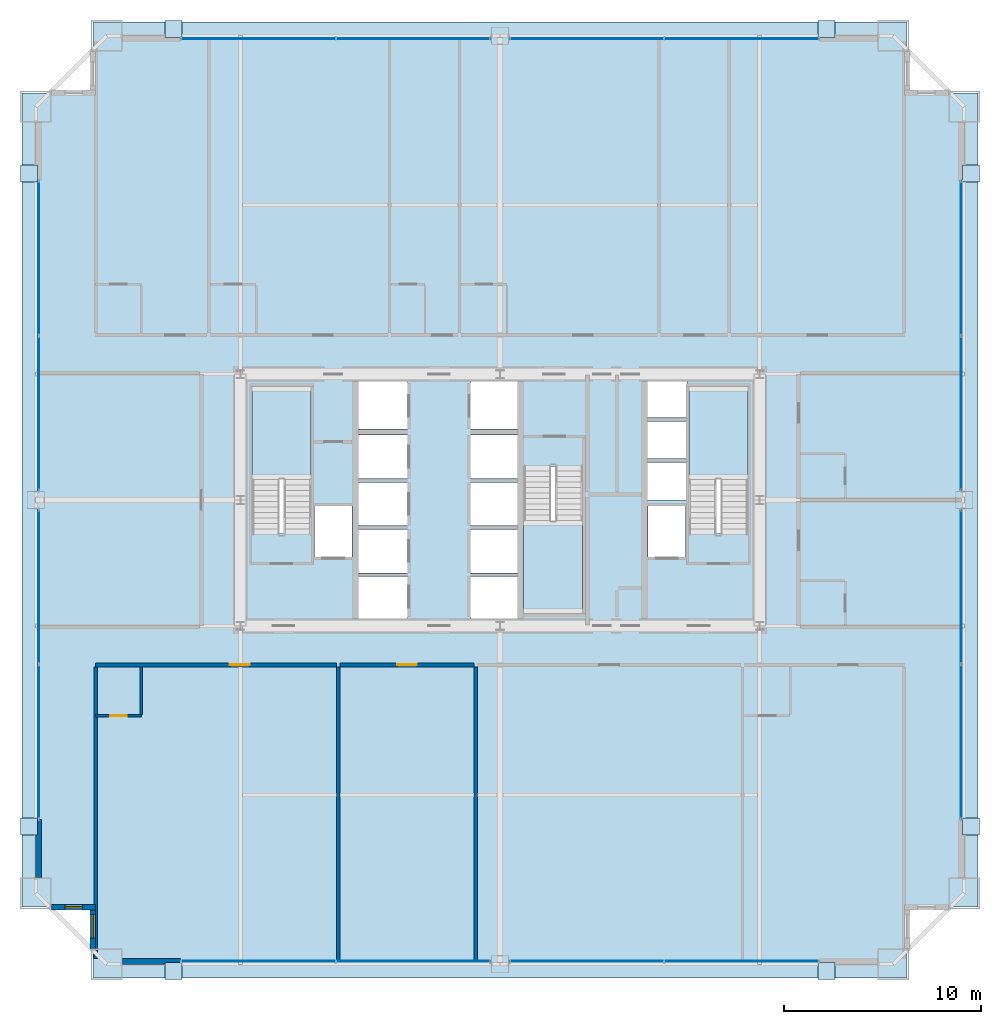
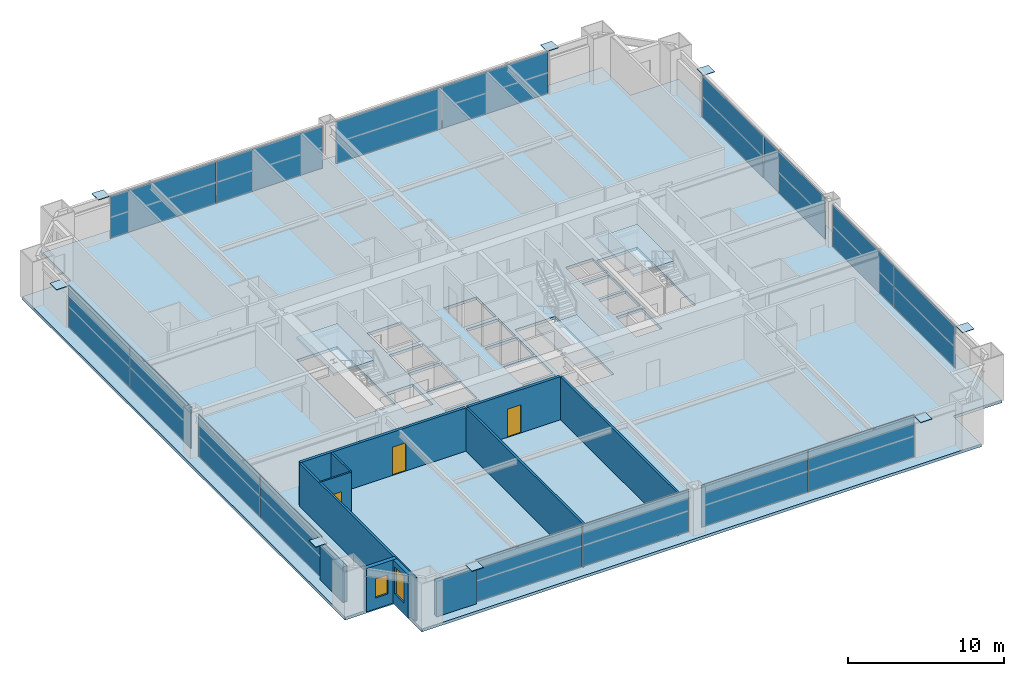
# One storey, part 33 of 38: 24 plates, 11 walls, 4 slabs, 3 doors, 2 windows, 5 openings, 11 elements without a shape of their own.
"""IFC4 building model written with IfcOpenShell, lengths in metres."""

from ifc_helpers import new_model, si_unit, direction, frame, frame_2d, origin, origin_2d, place, context, subcontext, project, spatial, polyline, rectangle, outline, extrude, source, transform, mapped, material, layer, layer_set, type_object, element, fill, aggregate, save


model = new_model("IFC4")

# Units and contexts
model_context = context("Model", 3, precision=1e-05, world=origin(), true_north=direction((0.0, 1.0)))
body_context = subcontext(model_context, "Body", "Model", "MODEL_VIEW")
ifc_project = project(units=[si_unit("LENGTHUNIT", "METRE"), si_unit("AREAUNIT", "SQUARE_METRE"), si_unit("VOLUMEUNIT", "CUBIC_METRE"), si_unit("PLANEANGLEUNIT", "RADIAN"), si_unit("MASSUNIT", "GRAM", prefix="KILO"), si_unit("THERMODYNAMICTEMPERATUREUNIT", "KELVIN"), si_unit("POWERUNIT", "WATT")], contexts=[model_context])

# Site, building, storey
site_placement = place(None, origin())
site = spatial("IfcSite", under=ifc_project, at=site_placement, CompositionType="ELEMENT")
building_placement = place(site_placement, origin())
building = spatial("IfcBuilding", under=site, at=building_placement, Name="Yuzanri Waterfront Tower", CompositionType="ELEMENT")
storey_placement = place(building_placement, frame((0.0, 0.0, 111.800048828125)))
storey = spatial("IfcBuildingStorey", under=building, at=storey_placement, Name="L29", CompositionType="ELEMENT", Elevation=111.800048828125)

# Stair, slab
ifc_material_1 = material(Name="Concrete C40", Category="concrete")
stair_type = type_object("IfcStairType", Name="Concrete C40 Core Dogleg Exit Stair", PredefinedType="HALF_TURN_STAIR", material=ifc_material_1)
stair_1_placement = place(storey_placement, origin())
stair_1 = element("IfcStair", 1, at=stair_1_placement, inside=storey, type_object=stair_type, Name="L29 Smoke-Proof Core Stair ST-01", PredefinedType="HALF_TURN_STAIR")
ifc_material_2 = material(Name="Concrete C40", Category="concrete")
ifc_layer_1 = layer(ifc_material_2, 0.179931640625)
ifc_layer_set_1 = layer_set([ifc_layer_1], Name="Concrete C40")
slab_type_1 = type_object("IfcSlabType", Name="Concrete C40 Stair Half-Landing Slab 180", PredefinedType="LANDING", material=ifc_layer_set_1)
slab_1_placement = place(storey_placement, frame((0.0, 0.0, 1.599853515625)))
slab_1 = element("IfcSlab", 2, at=slab_1_placement, type_object=slab_type_1, Name="ST-01 landing 1", PredefinedType="LANDING", context=body_context, shape_type="SweptSolid", body=[
    extrude(outline(polyline([(27.39990234375, 26.840087890625), (27.39990234375, 31.580078125), (24.39990234375, 31.580078125), (24.39990234375, 26.840087890625), (27.39990234375, 26.840087890625)])), origin(), (0.0, 0.0, 1.0), 0.2001953125),
])
aggregate(stair_1, [slab_1])

stair_2_placement = place(storey_placement, origin())
stair_2 = element("IfcStair", 3, at=stair_2_placement, inside=storey, type_object=stair_type, Name="L29 Smoke-Proof Core Stair ST-02", PredefinedType="HALF_TURN_STAIR")
slab_2_placement = place(storey_placement, frame((0.0, 0.0, 1.599853515625)))
slab_2 = element("IfcSlab", 4, at=slab_2_placement, type_object=slab_type_1, Name="ST-02 landing 1", PredefinedType="LANDING", context=body_context, shape_type="SweptSolid", body=[
    extrude(outline(polyline([(49.60009765625, 26.840087890625), (49.60009765625, 31.580078125), (46.60009765625, 31.580078125), (46.60009765625, 26.840087890625), (49.60009765625, 26.840087890625)])), origin(), (0.0, 0.0, 1.0), 0.2001953125),
])
aggregate(stair_2, [slab_2])

stair_3_placement = place(storey_placement, origin())
stair_3 = element("IfcStair", 5, at=stair_3_placement, inside=storey, type_object=stair_type, Name="L29 Smoke-Proof Core Stair ST-03", PredefinedType="HALF_TURN_STAIR")
slab_3_placement = place(storey_placement, frame((0.0, 0.0, 1.599853515625)))
slab_3 = element("IfcSlab", 6, at=slab_3_placement, type_object=slab_type_1, Name="ST-03 landing 1", PredefinedType="LANDING", context=body_context, shape_type="SweptSolid", body=[
    extrude(outline(polyline([(38.199951171875, 24.760009765625), (38.199951171875, 20.02001953125), (41.199951171875, 20.02001953125), (41.199951171875, 24.760009765625), (38.199951171875, 24.760009765625)])), origin(), (0.0, 0.0, 1.0), 0.2001953125),
])
aggregate(stair_3, [slab_3])

# Slab
ifc_material_3 = material(Name="Concrete C40", Category="concrete")
ifc_layer_2 = layer(ifc_material_3, 0.219970703125)
ifc_layer_set_2 = layer_set([ifc_layer_2], Name="Concrete C40")
slab_type_2 = type_object("IfcSlabType", Name="Concrete C40 Tower Typical Structural Floor Slab 220", PredefinedType="FLOOR", material=ifc_layer_set_2)
slab_4_placement = place(storey_placement, frame((0.0, 0.0, -0.219970703125)))
element("IfcSlab", 7, at=slab_4_placement, inside=storey, type_object=slab_type_2, Name="L29 Main Structural Floor Slab", PredefinedType="FLOOR", context=body_context, shape_type="SweptSolid", body=[
    extrude(outline(polyline([(16.300048828125, 1.5), (57.699951171875, 1.5), (57.699951171875, 5.10009765625), (61.300048828125, 5.10009765625), (61.300048828125, 46.5), (57.699951171875, 46.5), (57.699951171875, 50.10009765625), (16.300048828125, 50.10009765625), (16.300048828125, 46.5), (12.699951171875, 46.5), (12.699951171875, 5.10009765625), (16.300048828125, 5.10009765625), (16.300048828125, 1.5)]), holes=[polyline([(27.39990234375, 24.10009765625), (27.39990234375, 31.580078125), (24.39990234375, 31.580078125), (24.39990234375, 24.10009765625), (27.39990234375, 24.10009765625)]), polyline([(49.60009765625, 24.10009765625), (49.60009765625, 31.580078125), (46.60009765625, 31.580078125), (46.60009765625, 24.10009765625), (49.60009765625, 24.10009765625)]), polyline([(38.199951171875, 27.5), (38.199951171875, 20.02001953125), (41.199951171875, 20.02001953125), (41.199951171875, 27.5), (38.199951171875, 27.5)]), polyline([(27.56005859375, 22.89990234375), (29.47998046875, 22.89990234375), (29.47998046875, 25.5), (27.56005859375, 25.5), (27.56005859375, 22.89990234375)]), polyline([(44.52001953125, 22.89990234375), (46.43994140625, 22.89990234375), (46.43994140625, 25.5), (44.52001953125, 25.5), (44.52001953125, 22.89990234375)]), polyline([(29.800048828125, 19.699951171875), (32.300048828125, 19.699951171875), (32.300048828125, 21.89990234375), (29.800048828125, 21.89990234375), (29.800048828125, 19.699951171875)]), polyline([(29.800048828125, 22.10009765625), (32.300048828125, 22.10009765625), (32.300048828125, 24.300048828125), (29.800048828125, 24.300048828125), (29.800048828125, 22.10009765625)]), polyline([(29.800048828125, 24.5), (32.300048828125, 24.5), (32.300048828125, 26.699951171875), (29.800048828125, 26.699951171875), (29.800048828125, 24.5)]), polyline([(29.800048828125, 26.89990234375), (32.300048828125, 26.89990234375), (32.300048828125, 29.10009765625), (29.800048828125, 29.10009765625), (29.800048828125, 26.89990234375)]), polyline([(29.800048828125, 29.39990234375), (32.300048828125, 29.39990234375), (32.300048828125, 31.89990234375), (29.800048828125, 31.89990234375), (29.800048828125, 29.39990234375)]), polyline([(35.5, 19.699951171875), (37.89990234375, 19.699951171875), (37.89990234375, 21.89990234375), (35.5, 21.89990234375), (35.5, 19.699951171875)]), polyline([(35.5, 22.10009765625), (37.89990234375, 22.10009765625), (37.89990234375, 24.300048828125), (35.5, 24.300048828125), (35.5, 22.10009765625)]), polyline([(35.5, 24.5), (37.89990234375, 24.5), (37.89990234375, 26.699951171875), (35.5, 26.699951171875), (35.5, 24.5)]), polyline([(35.5, 26.89990234375), (37.89990234375, 26.89990234375), (37.89990234375, 29.10009765625), (35.5, 29.10009765625), (35.5, 26.89990234375)]), polyline([(35.5, 29.39990234375), (37.89990234375, 29.39990234375), (37.89990234375, 31.89990234375), (35.5, 31.89990234375), (35.5, 29.39990234375)]), polyline([(44.5, 25.800048828125), (46.5, 25.800048828125), (46.5, 27.699951171875), (44.5, 27.699951171875), (44.5, 25.800048828125)]), polyline([(44.5, 27.89990234375), (46.5, 27.89990234375), (46.5, 29.800048828125), (44.5, 29.800048828125), (44.5, 27.89990234375)]), polyline([(44.5, 30.0), (46.5, 30.0), (46.5, 31.89990234375), (44.5, 31.89990234375), (44.5, 30.0)])]), origin(), (0.0, 0.0, 1.0), 0.219970703125),
])

# Plates
ifc_material_4 = material(Name="Steel Q420GJC", Category="steel")
ifc_layer_3 = layer(ifc_material_4, 0.0400390625)
ifc_layer_set_3 = layer_set([ifc_layer_3], Name="Steel Q420GJC")
plate_type_1 = type_object("IfcPlateType", Name="Steel Q420GJC Mega-Brace Gusset and End-Cap Plate 40", PredefinedType="SHEET", material=ifc_layer_set_3)
shared_shape_1 = source(origin(), body_context, "Body", "SweptSolid", [
    extrude(rectangle(XDim=0.85009765625, YDim=0.85009765625, at=origin_2d()), origin(), (0.0, 0.0, 1.0), 0.0400390625),
])
for number, where, z_axis, x_axis, name in (
    (8, (20.39990234375, 1.860107421875, 3.260009765625), (0.0, 0.0, 1.0), (1.0, 0.0, 0.0), "L29 Mega-Brace Apex Cap Plate S-L"),
    (9, (53.60009765625, 1.860107421875, 3.260009765625), (0.0, 0.0, 1.0), (1.0, 0.0, 0.0), "L29 Mega-Brace Apex Cap Plate S-R"),
    (10, (20.39990234375, 49.739990234375, 3.260009765625), (0.0, 0.0, 1.0), (1.0, 0.0, 0.0), "L29 Mega-Brace Apex Cap Plate N-L"),
    (11, (53.60009765625, 49.739990234375, 3.260009765625), (0.0, 0.0, 1.0), (1.0, 0.0, 0.0), "L29 Mega-Brace Apex Cap Plate N-R"),
    (12, (13.06005859375, 9.199951171875, 3.260009765625), (0.0, 0.0, 1.0), (1.0, 0.0, 0.0), "L29 Mega-Brace Apex Cap Plate W-L"),
    (13, (13.06005859375, 42.39990234375, 3.260009765625), (0.0, 0.0, 1.0), (1.0, 0.0, 0.0), "L29 Mega-Brace Apex Cap Plate W-R"),
    (14, (60.93994140625, 9.199951171875, 3.260009765625), (0.0, 0.0, 1.0), (1.0, 0.0, 0.0), "L29 Mega-Brace Apex Cap Plate E-L"),
    (15, (60.93994140625, 42.39990234375, 3.260009765625), (0.0, 0.0, 1.0), (1.0, 0.0, 0.0), "L29 Mega-Brace Apex Cap Plate E-R"),
):
    element("IfcPlate", number, at=place(storey_placement, frame(where, z_axis=z_axis, x_axis=x_axis)), inside=storey, type_object=plate_type_1, Name=name, PredefinedType="SHEET", context=body_context, shape_type="MappedRepresentation", body=[
        mapped(shared_shape_1, transform((0.0, 0.0, 0.0), scale=1.0)),
    ])

# Curtain wall, plates
ifc_material_5 = material(Name="Anodized Architectural Bronze", Category="metal")
ifc_layer_4 = layer(ifc_material_5, 0.159912109375)
ifc_layer_set_4 = layer_set([ifc_layer_4], Name="Anodized Architectural Bronze")
curtain_wall_type = type_object("IfcCurtainWallType", Name="Anodized Bronze Hotel Upper-Tier Solar-Control Unitized Curtain Wall 7800", PredefinedType="NOTDEFINED", material=ifc_layer_set_4)
curtain_wall_1_placement = place(storey_placement, origin())
curtain_wall_1 = element("IfcCurtainWall", 16, at=curtain_wall_1_placement, inside=storey, type_object=curtain_wall_type, Name="L29 Curtain Wall CW-L29-SL", PredefinedType="NOTDEFINED")
ifc_material_6 = material(Name="Double-Silver Low-E Insulated Glass", Category="glass")
ifc_layer_5 = layer(ifc_material_6, 0.035888671875)
ifc_layer_set_5 = layer_set([ifc_layer_5], Name="Double-Silver Low-E Insulated Glass")
plate_type_2 = type_object("IfcPlateType", Name="Double Silver Low-E Insulated Vision Glass Panel 36", PredefinedType="CURTAIN_PANEL", material=ifc_layer_set_5)
shared_shape_2 = source(origin(), body_context, "Body", "SweptSolid", [
    extrude(rectangle(XDim=7.820068359375, YDim=0.035888671875, at=origin_2d()), origin(), (0.0, 0.0, 1.0), 3.280029296875),
])
plate_1_placement = place(storey_placement, frame((24.699951171875, 2.35009765625, 0.0498046875), z_axis=(0.0, 0.0, 1.0), x_axis=(1.0, 0.0, 0.0)))
plate_1 = element("IfcPlate", 17, at=plate_1_placement, type_object=plate_type_2, Name="CW-L29-SL Vision Glass Panel 01", PredefinedType="CURTAIN_PANEL", context=body_context, shape_type="MappedRepresentation", body=[
    mapped(shared_shape_2, transform((0.0, 0.0, 0.0), scale=1.0)),
])
plate_2_placement = place(storey_placement, frame((32.60009765625, 2.35009765625, 0.0498046875), z_axis=(0.0, 0.0, 1.0), x_axis=(1.0, 0.0, 0.0)))
plate_2 = element("IfcPlate", 18, at=plate_2_placement, type_object=plate_type_2, Name="CW-L29-SL Vision Glass Panel 02", PredefinedType="CURTAIN_PANEL", context=body_context, shape_type="MappedRepresentation", body=[
    mapped(shared_shape_2, transform((0.0, 0.0, 0.0), scale=1.0)),
])
aggregate(curtain_wall_1, [plate_1, plate_2])

curtain_wall_2_placement = place(storey_placement, origin())
curtain_wall_2 = element("IfcCurtainWall", 19, at=curtain_wall_2_placement, inside=storey, type_object=curtain_wall_type, Name="L29 Curtain Wall CW-L29-SR", PredefinedType="NOTDEFINED")
plate_3_placement = place(storey_placement, frame((41.39990234375, 2.35009765625, 0.0498046875), z_axis=(0.0, 0.0, 1.0), x_axis=(1.0, 0.0, 0.0)))
plate_3 = element("IfcPlate", 20, at=plate_3_placement, type_object=plate_type_2, Name="CW-L29-SR Vision Glass Panel 01", PredefinedType="CURTAIN_PANEL", context=body_context, shape_type="MappedRepresentation", body=[
    mapped(shared_shape_2, transform((0.0, 0.0, 0.0), scale=1.0)),
])
plate_4_placement = place(storey_placement, frame((49.300048828125, 2.35009765625, 0.0498046875), z_axis=(0.0, 0.0, 1.0), x_axis=(1.0, 0.0, 0.0)))
plate_4 = element("IfcPlate", 21, at=plate_4_placement, type_object=plate_type_2, Name="CW-L29-SR Vision Glass Panel 02", PredefinedType="CURTAIN_PANEL", context=body_context, shape_type="MappedRepresentation", body=[
    mapped(shared_shape_2, transform((0.0, 0.0, 0.0), scale=1.0)),
])
aggregate(curtain_wall_2, [plate_3, plate_4])

curtain_wall_3_placement = place(storey_placement, origin())
curtain_wall_3 = element("IfcCurtainWall", 22, at=curtain_wall_3_placement, inside=storey, type_object=curtain_wall_type, Name="L29 Curtain Wall CW-L29-NL", PredefinedType="NOTDEFINED")
plate_5_placement = place(storey_placement, frame((24.699951171875, 49.25, 0.0498046875), z_axis=(0.0, 0.0, 1.0), x_axis=(1.0, 0.0, 0.0)))
plate_5 = element("IfcPlate", 23, at=plate_5_placement, type_object=plate_type_2, Name="CW-L29-NL Vision Glass Panel 01", PredefinedType="CURTAIN_PANEL", context=body_context, shape_type="MappedRepresentation", body=[
    mapped(shared_shape_2, transform((0.0, 0.0, 0.0), scale=1.0)),
])
plate_6_placement = place(storey_placement, frame((32.60009765625, 49.25, 0.0498046875), z_axis=(0.0, 0.0, 1.0), x_axis=(1.0, 0.0, 0.0)))
plate_6 = element("IfcPlate", 24, at=plate_6_placement, type_object=plate_type_2, Name="CW-L29-NL Vision Glass Panel 02", PredefinedType="CURTAIN_PANEL", context=body_context, shape_type="MappedRepresentation", body=[
    mapped(shared_shape_2, transform((0.0, 0.0, 0.0), scale=1.0)),
])
aggregate(curtain_wall_3, [plate_5, plate_6])

curtain_wall_4_placement = place(storey_placement, origin())
curtain_wall_4 = element("IfcCurtainWall", 25, at=curtain_wall_4_placement, inside=storey, type_object=curtain_wall_type, Name="L29 Curtain Wall CW-L29-NR", PredefinedType="NOTDEFINED")
plate_7_placement = place(storey_placement, frame((41.39990234375, 49.25, 0.0498046875), z_axis=(0.0, 0.0, 1.0), x_axis=(1.0, 0.0, 0.0)))
plate_7 = element("IfcPlate", 26, at=plate_7_placement, type_object=plate_type_2, Name="CW-L29-NR Vision Glass Panel 01", PredefinedType="CURTAIN_PANEL", context=body_context, shape_type="MappedRepresentation", body=[
    mapped(shared_shape_2, transform((0.0, 0.0, 0.0), scale=1.0)),
])
plate_8_placement = place(storey_placement, frame((49.300048828125, 49.25, 0.0498046875), z_axis=(0.0, 0.0, 1.0), x_axis=(1.0, 0.0, 0.0)))
plate_8 = element("IfcPlate", 27, at=plate_8_placement, type_object=plate_type_2, Name="CW-L29-NR Vision Glass Panel 02", PredefinedType="CURTAIN_PANEL", context=body_context, shape_type="MappedRepresentation", body=[
    mapped(shared_shape_2, transform((0.0, 0.0, 0.0), scale=1.0)),
])
aggregate(curtain_wall_4, [plate_7, plate_8])

curtain_wall_5_placement = place(storey_placement, origin())
curtain_wall_5 = element("IfcCurtainWall", 28, at=curtain_wall_5_placement, inside=storey, type_object=curtain_wall_type, Name="L29 Curtain Wall CW-L29-WL", PredefinedType="NOTDEFINED")
plate_9_placement = place(storey_placement, frame((13.550048828125, 13.5, 0.0498046875), z_axis=(0.0, 0.0, 1.0), x_axis=(0.0, 1.0, 0.0)))
plate_9 = element("IfcPlate", 29, at=plate_9_placement, type_object=plate_type_2, Name="CW-L29-WL Vision Glass Panel 01", PredefinedType="CURTAIN_PANEL", context=body_context, shape_type="MappedRepresentation", body=[
    mapped(shared_shape_2, transform((0.0, 0.0, 0.0), scale=1.0)),
])
plate_10_placement = place(storey_placement, frame((13.550048828125, 21.39990234375, 0.0498046875), z_axis=(0.0, 0.0, 1.0), x_axis=(0.0, 1.0, 0.0)))
plate_10 = element("IfcPlate", 30, at=plate_10_placement, type_object=plate_type_2, Name="CW-L29-WL Vision Glass Panel 02", PredefinedType="CURTAIN_PANEL", context=body_context, shape_type="MappedRepresentation", body=[
    mapped(shared_shape_2, transform((0.0, 0.0, 0.0), scale=1.0)),
])
aggregate(curtain_wall_5, [plate_9, plate_10])

curtain_wall_6_placement = place(storey_placement, origin())
curtain_wall_6 = element("IfcCurtainWall", 31, at=curtain_wall_6_placement, inside=storey, type_object=curtain_wall_type, Name="L29 Curtain Wall CW-L29-WR", PredefinedType="NOTDEFINED")
plate_11_placement = place(storey_placement, frame((13.550048828125, 30.199951171875, 0.0498046875), z_axis=(0.0, 0.0, 1.0), x_axis=(0.0, 1.0, 0.0)))
plate_11 = element("IfcPlate", 32, at=plate_11_placement, type_object=plate_type_2, Name="CW-L29-WR Vision Glass Panel 01", PredefinedType="CURTAIN_PANEL", context=body_context, shape_type="MappedRepresentation", body=[
    mapped(shared_shape_2, transform((0.0, 0.0, 0.0), scale=1.0)),
])
plate_12_placement = place(storey_placement, frame((13.550048828125, 38.10009765625, 0.0498046875), z_axis=(0.0, 0.0, 1.0), x_axis=(0.0, 1.0, 0.0)))
plate_12 = element("IfcPlate", 33, at=plate_12_placement, type_object=plate_type_2, Name="CW-L29-WR Vision Glass Panel 02", PredefinedType="CURTAIN_PANEL", context=body_context, shape_type="MappedRepresentation", body=[
    mapped(shared_shape_2, transform((0.0, 0.0, 0.0), scale=1.0)),
])
aggregate(curtain_wall_6, [plate_11, plate_12])

curtain_wall_7_placement = place(storey_placement, origin())
curtain_wall_7 = element("IfcCurtainWall", 34, at=curtain_wall_7_placement, inside=storey, type_object=curtain_wall_type, Name="L29 Curtain Wall CW-L29-EL", PredefinedType="NOTDEFINED")
plate_13_placement = place(storey_placement, frame((60.449951171875, 13.5, 0.0498046875), z_axis=(0.0, 0.0, 1.0), x_axis=(0.0, 1.0, 0.0)))
plate_13 = element("IfcPlate", 35, at=plate_13_placement, type_object=plate_type_2, Name="CW-L29-EL Vision Glass Panel 01", PredefinedType="CURTAIN_PANEL", context=body_context, shape_type="MappedRepresentation", body=[
    mapped(shared_shape_2, transform((0.0, 0.0, 0.0), scale=1.0)),
])
plate_14_placement = place(storey_placement, frame((60.449951171875, 21.39990234375, 0.0498046875), z_axis=(0.0, 0.0, 1.0), x_axis=(0.0, 1.0, 0.0)))
plate_14 = element("IfcPlate", 36, at=plate_14_placement, type_object=plate_type_2, Name="CW-L29-EL Vision Glass Panel 02", PredefinedType="CURTAIN_PANEL", context=body_context, shape_type="MappedRepresentation", body=[
    mapped(shared_shape_2, transform((0.0, 0.0, 0.0), scale=1.0)),
])
aggregate(curtain_wall_7, [plate_13, plate_14])

curtain_wall_8_placement = place(storey_placement, origin())
curtain_wall_8 = element("IfcCurtainWall", 37, at=curtain_wall_8_placement, inside=storey, type_object=curtain_wall_type, Name="L29 Curtain Wall CW-L29-ER", PredefinedType="NOTDEFINED")
plate_15_placement = place(storey_placement, frame((60.449951171875, 30.199951171875, 0.0498046875), z_axis=(0.0, 0.0, 1.0), x_axis=(0.0, 1.0, 0.0)))
plate_15 = element("IfcPlate", 38, at=plate_15_placement, type_object=plate_type_2, Name="CW-L29-ER Vision Glass Panel 01", PredefinedType="CURTAIN_PANEL", context=body_context, shape_type="MappedRepresentation", body=[
    mapped(shared_shape_2, transform((0.0, 0.0, 0.0), scale=1.0)),
])
plate_16_placement = place(storey_placement, frame((60.449951171875, 38.10009765625, 0.0498046875), z_axis=(0.0, 0.0, 1.0), x_axis=(0.0, 1.0, 0.0)))
plate_16 = element("IfcPlate", 39, at=plate_16_placement, type_object=plate_type_2, Name="CW-L29-ER Vision Glass Panel 02", PredefinedType="CURTAIN_PANEL", context=body_context, shape_type="MappedRepresentation", body=[
    mapped(shared_shape_2, transform((0.0, 0.0, 0.0), scale=1.0)),
])
aggregate(curtain_wall_8, [plate_15, plate_16])

# Wall, opening, door
ifc_material_7 = material(Name="Moisture-Resistant Gypsum Stud Wall", Category="gypsum")
ifc_layer_6 = layer(ifc_material_7, 0.1201171875)
ifc_layer_set_6 = layer_set([ifc_layer_6], Name="Moisture-Resistant Gypsum Stud Wall")
wall_type_1 = type_object("IfcWallType", Name="Bathroom and Kitchen Wet Partition 120", PredefinedType="PARTITIONING", material=ifc_layer_set_6)
wall_1_placement = place(storey_placement, frame((16.43994140625, 14.840087890625, 0.0), z_axis=(0.0, 0.0, 1.0), x_axis=(1.0, 0.0, 0.0)))
wall_1 = element("IfcWall", 40, at=wall_1_placement, inside=storey, type_object=wall_type_1, Name="L29 Partition UW-L29-S1-BS", PredefinedType="PARTITIONING", context=body_context, shape_type="SweptSolid", body=[
    extrude(rectangle(XDim=2.330078125, YDim=0.1201171875, at=frame_2d((1.1650390625, 0.0))), origin(), (0.0, 0.0, 1.0), 3.3798828125),
])
opening_1_placement = place(wall_1_placement, frame((0.739990234375, 0.0, 0.0)))
opening_1 = element("IfcOpeningElement", 41, at=opening_1_placement, cuts=wall_1, Name="Opening ID-0850", PredefinedType="OPENING", context=body_context, shape_type="SweptSolid", body=[
    extrude(rectangle(XDim=0.85009765625, YDim=2.10009765625, at=frame_2d((0.425048828125, 1.050048828125))), frame((0.0, 0.074951171875, 0.0), z_axis=(0.0, -1.0, 0.0), x_axis=(1.0, 0.0, 0.0)), (0.0, 0.0, 1.0), 0.14990234375),
])
ifc_material_8 = material(Name="Moisture-Resistant Lacquered Timber", Category="wood")
door_type_1 = type_object("IfcDoorType", Name="En-Suite Bathroom and Kitchen Swing Door 850x2100", OperationType="NOTDEFINED", PredefinedType="DOOR", material=ifc_material_8)
shared_shape_3 = source(origin(), body_context, "Body", "SweptSolid", [
    extrude(rectangle(XDim=0.85009765625, YDim=2.10009765625, at=frame_2d((0.425048828125, 1.050048828125))), frame((0.0, 0.02490234375, 0.0), z_axis=(0.0, -1.0, 0.0), x_axis=(1.0, 0.0, 0.0)), (0.0, 0.0, 1.0), 0.050048828125),
])
door_1_placement = place(opening_1_placement, origin())
door_1 = element("IfcDoor", 42, at=door_1_placement, inside=storey, type_object=door_type_1, Name="L29 Guest En-Suite Door", OperationType="SINGLE_SWING_LEFT", OverallHeight=2.10009765625, OverallWidth=0.85009765625, PredefinedType="DOOR", context=body_context, shape_type="MappedRepresentation", body=[
    mapped(shared_shape_3, transform((0.0, 0.0, 0.0), scale=1.0)),
])
fill(opening_1, door_1)

# Wall, opening, window
ifc_material_9 = material(Name="Honed Chongqing Dark Basalt Stone", Category="masonry")
ifc_layer_7 = layer(ifc_material_9, 0.300048828125)
ifc_layer_set_7 = layer_set([ifc_layer_7], Name="Honed Chongqing Dark Basalt Stone")
wall_type_2 = type_object("IfcWallType", Name="Bronze Rainscreen Insulated Spandrel Portal Wall 300", PredefinedType="SOLIDWALL", material=ifc_layer_set_7)
wall_2_placement = place(storey_placement, frame((14.199951171875, 5.10009765625, 0.0), z_axis=(0.0, 0.0, 1.0), x_axis=(1.0, 0.0, 0.0)))
wall_2 = element("IfcWall", 43, at=wall_2_placement, inside=storey, type_object=wall_type_2, Name="L29 Notched Corner Masonry Wall SW-X", PredefinedType="SOLIDWALL", context=body_context, shape_type="SweptSolid", body=[
    extrude(rectangle(XDim=2.25, YDim=0.300048828125, at=frame_2d((1.125, 0.0))), origin(), (0.0, 0.0, 1.0), 3.3798828125),
])
opening_2_placement = place(wall_2_placement, frame((0.675048828125, 0.0, 0.85009765625)))
opening_2 = element("IfcOpeningElement", 44, at=opening_2_placement, cuts=wall_2, Name="Opening WN-05", PredefinedType="OPENING", context=body_context, shape_type="SweptSolid", body=[
    extrude(rectangle(XDim=0.89990234375, YDim=1.5, at=frame_2d((0.449951171875, 0.75))), frame((0.0, 0.1650390625, 0.0), z_axis=(0.0, -1.0, 0.0), x_axis=(1.0, 0.0, 0.0)), (0.0, 0.0, 1.0), 0.329833984375),
])
ifc_material_10 = material(Name="Double-Silver Low-E Insulated Glass", Category="glass")
window_type_1 = type_object("IfcWindowType", Name="Anodized Bronze Service and Stairwell Smoke-Vent Window 900x1500", PartitioningType="SINGLE_PANEL", PredefinedType="WINDOW", material=ifc_material_10)
shared_shape_4 = source(origin(), body_context, "Body", "SweptSolid", [
    extrude(rectangle(XDim=0.89990234375, YDim=1.5, at=frame_2d((0.449951171875, 0.75))), frame((0.0, 0.030029296875, 0.0), z_axis=(0.0, -1.0, 0.0), x_axis=(1.0, 0.0, 0.0)), (0.0, 0.0, 1.0), 0.06005859375),
])
window_1_placement = place(opening_2_placement, origin())
window_1 = element("IfcWindow", 45, at=window_1_placement, inside=storey, type_object=window_type_1, Name="L29 Notched Corner Window SW-X", OverallHeight=1.5, OverallWidth=0.89990234375, PartitioningType="SINGLE_PANEL", PredefinedType="WINDOW", context=body_context, shape_type="MappedRepresentation", body=[
    mapped(shared_shape_4, transform((0.0, 0.0, 0.0), scale=1.0)),
])
fill(opening_2, window_1)

wall_3_placement = place(storey_placement, frame((16.300048828125, 5.25, 0.0), z_axis=(0.0, 0.0, 1.0), x_axis=(0.0, -1.0, 0.0)))
wall_3 = element("IfcWall", 46, at=wall_3_placement, inside=storey, type_object=wall_type_2, Name="L29 Notched Corner Masonry Wall SW-Y", PredefinedType="SOLIDWALL", context=body_context, shape_type="SweptSolid", body=[
    extrude(rectangle(XDim=2.25, YDim=0.300048828125, at=frame_2d((1.125, 0.0))), origin(), (0.0, 0.0, 1.0), 3.3798828125),
])
opening_3_placement = place(wall_3_placement, frame((0.52490234375, 0.0, 0.85009765625)))
opening_3 = element("IfcOpeningElement", 47, at=opening_3_placement, cuts=wall_3, Name="Opening WN-02", PredefinedType="OPENING", context=body_context, shape_type="SweptSolid", body=[
    extrude(rectangle(XDim=1.199951171875, YDim=2.10009765625, at=frame_2d((0.60009765625, 1.050048828125))), frame((0.0, 0.1650390625, 0.0), z_axis=(0.0, -1.0, 0.0), x_axis=(1.0, 0.0, 0.0)), (0.0, 0.0, 1.0), 0.329833984375),
])
ifc_material_11 = material(Name="Double-Silver Low-E Insulated Glass", Category="glass")
window_type_2 = type_object("IfcWindowType", Name="Anodized Bronze Notched Corner Deep-Set Slot Window 1200x2100", PartitioningType="SINGLE_PANEL", PredefinedType="WINDOW", material=ifc_material_11)
shared_shape_5 = source(origin(), body_context, "Body", "SweptSolid", [
    extrude(rectangle(XDim=1.199951171875, YDim=2.10009765625, at=frame_2d((0.60009765625, 1.050048828125))), frame((0.0, 0.030029296875, 0.0), z_axis=(0.0, -1.0, 0.0), x_axis=(1.0, 0.0, 0.0)), (0.0, 0.0, 1.0), 0.06005859375),
])
window_2_placement = place(opening_3_placement, origin())
window_2 = element("IfcWindow", 48, at=window_2_placement, inside=storey, type_object=window_type_2, Name="L29 Notched Corner Window SW-Y", OverallHeight=2.10009765625, OverallWidth=1.199951171875, PartitioningType="SINGLE_PANEL", PredefinedType="WINDOW", context=body_context, shape_type="MappedRepresentation", body=[
    mapped(shared_shape_5, transform((0.0, 0.0, 0.0), scale=1.0)),
])
fill(opening_3, window_2)

# Wall, opening, door
ifc_material_12 = material(Name="Autoclaved Aerated Concrete Blockwork", Category="masonry")
ifc_layer_8 = layer(ifc_material_12, 0.199951171875)
ifc_layer_set_8 = layer_set([ifc_layer_8], Name="Autoclaved Aerated Concrete Blockwork")
wall_type_3 = type_object("IfcWallType", Name="Corridor and Unit Party Fire Wall 200", PredefinedType="PARTITIONING", material=ifc_layer_set_8)
wall_4_placement = place(storey_placement, frame((16.43994140625, 17.419921875, 0.0), z_axis=(0.0, 0.0, 1.0), x_axis=(1.0, 0.0, 0.0)))
wall_4 = element("IfcWall", 49, at=wall_4_placement, inside=storey, type_object=wall_type_3, Name="L29 Partition UW-L29-S1-CN", PredefinedType="PARTITIONING", context=body_context, shape_type="SweptSolid", body=[
    extrude(rectangle(XDim=12.256103515625, YDim=0.199951171875, at=frame_2d((6.1279296875, 0.0))), origin(), (0.0, 0.0, 1.0), 3.3798828125),
])
opening_4_placement = place(wall_4_placement, frame((6.8330078125, 0.0, 0.0)))
opening_4 = element("IfcOpeningElement", 50, at=opening_4_placement, cuts=wall_4, Name="Opening FD-1000", PredefinedType="OPENING", context=body_context, shape_type="SweptSolid", body=[
    extrude(rectangle(XDim=1.0, YDim=2.199951171875, at=frame_2d((0.5, 1.10009765625))), frame((0.0, 0.11474609375, 0.0), z_axis=(0.0, -1.0, 0.0), x_axis=(1.0, 0.0, 0.0)), (0.0, 0.0, 1.0), 0.229736328125),
])
ifc_material_13 = material(Name="Engineered Oak Fire-Rated Timber", Category="wood")
door_type_2 = type_object("IfcDoorType", Name="Guestroom and Apartment Entrance Fire Door 1000x2200", OperationType="NOTDEFINED", PredefinedType="DOOR", material=ifc_material_13)
shared_shape_6 = source(origin(), body_context, "Body", "SweptSolid", [
    extrude(rectangle(XDim=1.0, YDim=2.199951171875, at=frame_2d((0.5, 1.10009765625))), frame((0.0, 0.02490234375, 0.0), z_axis=(0.0, -1.0, 0.0), x_axis=(1.0, 0.0, 0.0)), (0.0, 0.0, 1.0), 0.050048828125),
])
door_2_placement = place(opening_4_placement, origin())
door_2 = element("IfcDoor", 51, at=door_2_placement, inside=storey, type_object=door_type_2, Name="L29 Grand Riverview Suite Entrance Door", OperationType="SINGLE_SWING_RIGHT", OverallHeight=2.199951171875, OverallWidth=1.0, PredefinedType="DOOR", context=body_context, shape_type="MappedRepresentation", body=[
    mapped(shared_shape_6, transform((0.0, 0.0, 0.0), scale=1.0)),
])
fill(opening_4, door_2)

wall_5_placement = place(storey_placement, frame((28.85595703125, 17.419921875, 0.0), z_axis=(0.0, 0.0, 1.0), x_axis=(1.0, 0.0, 0.0)))
wall_5 = element("IfcWall", 52, at=wall_5_placement, inside=storey, type_object=wall_type_3, Name="L29 Partition UW-L29-S2-CN", PredefinedType="PARTITIONING", context=body_context, shape_type="SweptSolid", body=[
    extrude(rectangle(XDim=6.830078125, YDim=0.199951171875, at=frame_2d((3.4150390625, 0.0))), origin(), (0.0, 0.0, 1.0), 3.3798828125),
])
opening_5_placement = place(wall_5_placement, frame((2.9150390625, 0.0, 0.0)))
opening_5 = element("IfcOpeningElement", 53, at=opening_5_placement, cuts=wall_5, Name="Opening FD-1000", PredefinedType="OPENING", context=body_context, shape_type="SweptSolid", body=[
    extrude(rectangle(XDim=1.0, YDim=2.199951171875, at=frame_2d((0.5, 1.10009765625))), frame((0.0, 0.11474609375, 0.0), z_axis=(0.0, -1.0, 0.0), x_axis=(1.0, 0.0, 0.0)), (0.0, 0.0, 1.0), 0.229736328125),
])
door_3_placement = place(opening_5_placement, origin())
door_3 = element("IfcDoor", 54, at=door_3_placement, inside=storey, type_object=door_type_2, Name="L29 Boardroom A Entrance Door", OperationType="SINGLE_SWING_RIGHT", OverallHeight=2.199951171875, OverallWidth=1.0, PredefinedType="DOOR", context=body_context, shape_type="MappedRepresentation", body=[
    mapped(shared_shape_6, transform((0.0, 0.0, 0.0), scale=1.0)),
])
fill(opening_5, door_3)

# Walls
shared_shape_7 = source(origin(), body_context, "Body", "SweptSolid", [
    extrude(rectangle(XDim=2.949951171875, YDim=0.300048828125, at=frame_2d((1.47509765625, 0.0))), origin(), (0.0, 0.0, 1.0), 2.77490234375),
])
for number, where, z_axis, x_axis, name in (
    (55, (17.800048828125, 2.35009765625, 0.0), (0.0, 0.0, 1.0), (1.0, 0.0, 0.0), "L29 S Left Braced Masonry Shoulder"),
    (56, (13.550048828125, 6.60009765625, 0.0), (0.0, 0.0, 1.0), (0.0, 1.0, 0.0), "L29 W Left Braced Masonry Shoulder"),
):
    element("IfcWall", number, at=place(storey_placement, frame(where, z_axis=z_axis, x_axis=x_axis)), inside=storey, type_object=wall_type_2, Name=name, PredefinedType="SOLIDWALL", context=body_context, shape_type="MappedRepresentation", body=[
        mapped(shared_shape_7, transform((0.0, 0.0, 0.0), scale=1.0)),
    ])
shared_shape_8 = source(origin(), body_context, "Body", "SweptSolid", [
    extrude(rectangle(XDim=2.420166015625, YDim=0.1201171875, at=frame_2d((1.2099609375, 0.0))), origin(), (0.0, 0.0, 1.0), 3.3798828125),
])
wall_6_placement = place(storey_placement, frame((18.77001953125, 14.89990234375, 0.0), z_axis=(0.0, 0.0, 1.0), x_axis=(0.0, 1.0, 0.0)))
element("IfcWall", 57, at=wall_6_placement, inside=storey, type_object=wall_type_1, Name="L29-S1 En-Suite Side Wall", PredefinedType="PARTITIONING", context=body_context, shape_type="MappedRepresentation", body=[
    mapped(shared_shape_8, transform((0.0, 0.0, 0.0), scale=1.0)),
])
ifc_material_14 = material(Name="Gypsum Fireboard Acoustic Stud Wall", Category="gypsum")
ifc_layer_9 = layer(ifc_material_14, 0.159912109375)
ifc_layer_set_9 = layer_set([ifc_layer_9], Name="Gypsum Fireboard Acoustic Stud Wall")
wall_type_4 = type_object("IfcWallType", Name="Acoustic Suite Demising Partition 160", PredefinedType="PARTITIONING", material=ifc_layer_set_9)
shared_shape_9 = source(origin(), body_context, "Body", "SweptSolid", [
    extrude(rectangle(XDim=14.969970703125, YDim=0.159912109375, at=frame_2d((7.48486328125, 0.0))), origin(), (0.0, 0.0, 1.0), 3.3798828125),
])
for number, where, z_axis, x_axis, name in (
    (58, (28.77587890625, 2.35009765625, 0.0), (0.0, 0.0, 1.0), (0.0, 1.0, 0.0), "L29-S1 Party Wall"),
    (59, (35.76611328125, 2.35009765625, 0.0), (0.0, 0.0, 1.0), (0.0, 1.0, 0.0), "L29-S2 Party Wall"),
):
    element("IfcWall", number, at=place(storey_placement, frame(where, z_axis=z_axis, x_axis=x_axis)), inside=storey, type_object=wall_type_4, Name=name, PredefinedType="PARTITIONING", context=body_context, shape_type="MappedRepresentation", body=[
        mapped(shared_shape_9, transform((0.0, 0.0, 0.0), scale=1.0)),
    ])
shared_shape_10 = source(origin(), body_context, "Body", "SweptSolid", [
    extrude(rectangle(XDim=14.820068359375, YDim=0.159912109375, at=frame_2d((7.41015625, 0.0))), origin(), (0.0, 0.0, 1.0), 3.3798828125),
])
wall_7_placement = place(storey_placement, frame((16.449951171875, 2.5, 0.0), z_axis=(0.0, 0.0, 1.0), x_axis=(0.0, 1.0, 0.0)))
element("IfcWall", 60, at=wall_7_placement, inside=storey, type_object=wall_type_4, Name="L29 South Band West End Wall", PredefinedType="PARTITIONING", context=body_context, shape_type="MappedRepresentation", body=[
    mapped(shared_shape_10, transform((0.0, 0.0, 0.0), scale=1.0)),
])

save(model, "model.ifc")
